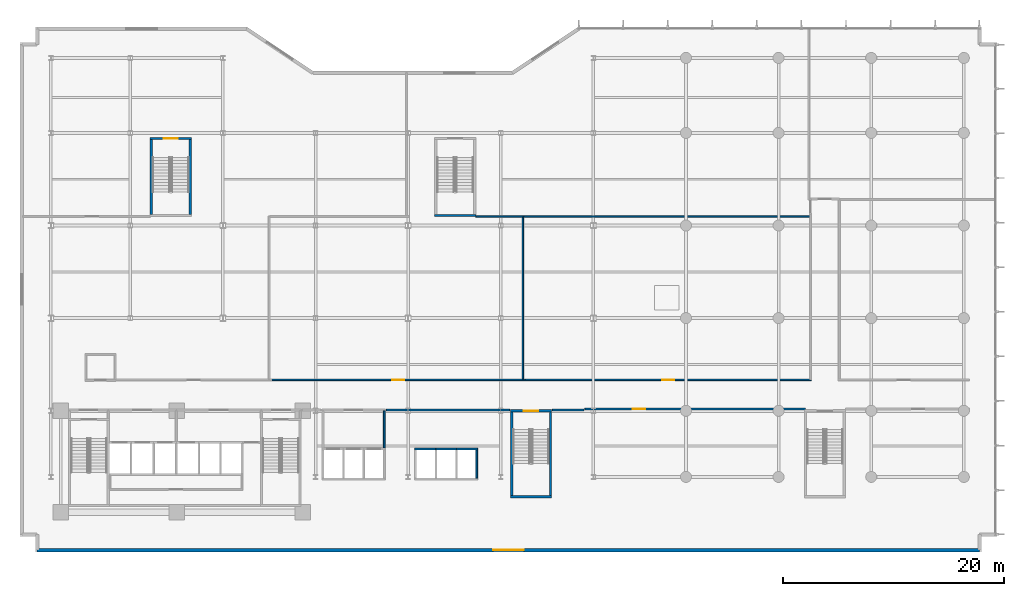
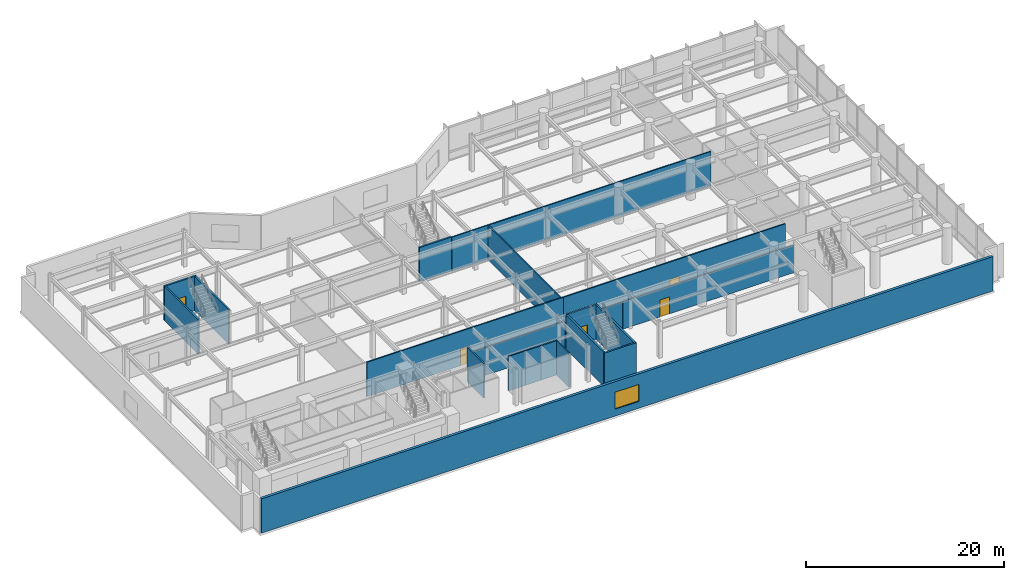
# One storey, part 16 of 26: 22 walls, 5 doors, 1 window, 6 openings.
"""IFC4 building model written with IfcOpenShell, lengths in metres."""

from ifc_helpers import new_model, si_unit, direction, frame, frame_2d, origin, place, context, subcontext, project, spatial, rectangle, extrude, material, layer, layer_set, type_object, element, fill, save


model = new_model("IFC4")

# Units and contexts
model_context = context("Model", 3, precision=1e-05, world=origin(), true_north=direction((0.0, 1.0)))
body_context = subcontext(model_context, "Body", "Model", "MODEL_VIEW")
ifc_project = project(units=[si_unit("LENGTHUNIT", "METRE"), si_unit("AREAUNIT", "SQUARE_METRE"), si_unit("VOLUMEUNIT", "CUBIC_METRE"), si_unit("PLANEANGLEUNIT", "RADIAN"), si_unit("MASSUNIT", "GRAM", prefix="KILO")], contexts=[model_context])

# Site, building, storey
site_placement = place(None, origin())
site = spatial("IfcSite", under=ifc_project, at=site_placement, CompositionType="ELEMENT")
building_placement = place(site_placement, origin())
building = spatial("IfcBuilding", under=site, at=building_placement, Name="Varnakote Quay Hospital", CompositionType="ELEMENT")
storey_placement = place(building_placement, frame((0.0, 0.0, 9.0)))
storey = spatial("IfcBuildingStorey", under=building, at=storey_placement, Name="L02", CompositionType="ELEMENT", Elevation=9.0)

# Walls
ifc_material_1 = material(Name="Fire-rated acoustic gypsum stud wall", Category="gypsum")
ifc_layer_1 = layer(ifc_material_1, 0.159912109375)
ifc_layer_set_1 = layer_set([ifc_layer_1], Name="Fire-rated acoustic gypsum stud wall")
wall_type_1 = type_object("IfcWallType", Name="WL-COMP-160", PredefinedType="PARTITIONING", material=ifc_layer_set_1)
wall_1_placement = place(storey_placement, frame((31.429931640625, 8.610107421875, 0.0), z_axis=(0.0, 0.0, 1.0), x_axis=(0.0, 1.0, 0.0)))
element("IfcWall", 1, at=wall_1_placement, inside=storey, type_object=wall_type_1, Name="L02 Low-Rise Lift Lobby East Wall", PredefinedType="PARTITIONING", context=body_context, shape_type="SweptSolid", body=[
    extrude(rectangle(XDim=3.389892578125, YDim=0.159912109375, at=frame_2d((1.69482421875, 0.0))), origin(), (0.0, 0.0, 1.0), 4.25),
])
wall_2_placement = place(storey_placement, frame((31.6298828125, 12.080078125, 0.0), z_axis=(0.0, 0.0, 1.0), x_axis=(1.0, 0.0, 0.0)))
element("IfcWall", 2, at=wall_2_placement, inside=storey, type_object=wall_type_1, Name="L02 Corridor South Gap Wall", PredefinedType="PARTITIONING", context=body_context, shape_type="SweptSolid", body=[
    extrude(rectangle(XDim=11.180908203125, YDim=0.159912109375, at=frame_2d((5.59033203125, 0.0))), origin(), (0.0, 0.0, 1.0), 3.425048828125),
])
wall_3_placement = place(storey_placement, frame((46.689208984375, 12.080078125, 0.0), z_axis=(0.0, 0.0, 1.0), x_axis=(1.0, 0.0, 0.0)))
element("IfcWall", 3, at=wall_3_placement, inside=storey, type_object=wall_type_1, Name="L02 Corridor South Gap Wall", PredefinedType="PARTITIONING", context=body_context, shape_type="SweptSolid", body=[
    extrude(rectangle(XDim=2.843017578125, YDim=0.159912109375, at=frame_2d((1.42138671875, 0.0))), origin(), (0.0, 0.0, 1.0), 3.425048828125),
])

# Wall, opening, window
ifc_material_2 = material(Name="Precast concrete N50 (f'c 50 MPa)", Category="concrete")
ifc_layer_2 = layer(ifc_material_2, 0.300048828125)
ifc_layer_set_2 = layer_set([ifc_layer_2], Name="Precast concrete N50 (f'c 50 MPa)")
wall_type_2 = type_object("IfcWallType", Name="WL-EXT-BRICK-300", PredefinedType="STANDARD", material=ifc_layer_set_2)
wall_4_placement = place(storey_placement, frame((-0.0400390625, -0.639892578125, 0.0), z_axis=(0.0, 0.0, 1.0), x_axis=(1.0, 0.0, 0.0)))
wall_4 = element("IfcWall", 4, at=wall_4_placement, inside=storey, type_object=wall_type_2, Name="L02 Brick-Faced Precast Exterior Wall", PredefinedType="STANDARD", context=body_context, shape_type="SweptSolid", body=[
    extrude(rectangle(XDim=85.47998046875, YDim=0.300048828125, at=frame_2d((42.739990234375, 0.0))), origin(), (0.0, 0.0, 1.0), 4.25),
])
opening_1_placement = place(wall_4_placement, frame((41.340087890625, 0.0, 0.85009765625)))
opening_1 = element("IfcOpeningElement", 5, at=opening_1_placement, cuts=wall_4, Name="Opening WN-0013", PredefinedType="OPENING", context=body_context, shape_type="SweptSolid", body=[
    extrude(rectangle(XDim=2.800048828125, YDim=2.10009765625, at=frame_2d((1.39990234375, 1.050048828125))), frame((0.0, 0.159912109375, 0.0), z_axis=(0.0, -1.0, 0.0), x_axis=(1.0, 0.0, 0.0)), (0.0, 0.0, 1.0), 0.320068359375),
])
ifc_material_3 = material(Name="Double-glazed acoustic laminated glass", Category="glass")
window_type = type_object("IfcWindowType", Name="WIN-POD-2800x2100", PartitioningType="SINGLE_PANEL", PredefinedType="WINDOW", material=ifc_material_3)
window_placement = place(opening_1_placement, origin())
window = element("IfcWindow", 6, at=window_placement, inside=storey, type_object=window_type, Name="L02 Solar-Control Clinical Window", OverallHeight=2.10009765625, OverallWidth=2.800048828125, PartitioningType="SINGLE_PANEL", PredefinedType="WINDOW", context=body_context, shape_type="SweptSolid", body=[
    extrude(rectangle(XDim=2.800048828125, YDim=2.10009765625, at=frame_2d((1.39990234375, 1.050048828125))), frame((0.0, 0.030029296875, 0.0), z_axis=(0.0, -1.0, 0.0), x_axis=(1.0, 0.0, 0.0)), (0.0, 0.0, 1.0), 0.06005859375),
])
fill(opening_1, window)

# Walls
ifc_material_4 = material(Name="Concrete N50 (f'c 50 MPa)", Category="concrete")
ifc_layer_3 = layer(ifc_material_4, 0.159912109375)
ifc_layer_set_3 = layer_set([ifc_layer_3], Name="Concrete N50 (f'c 50 MPa)")
wall_type_3 = type_object("IfcWallType", Name="WL-SHAFT-N50-160", PredefinedType="SHEAR", material=ifc_layer_set_3)
wall_5_placement = place(storey_placement, frame((39.830078125, 5.89990234375, 0.0), z_axis=(0.0, 0.0, 1.0), x_axis=(0.0, 1.0, 0.0)))
element("IfcWall", 7, at=wall_5_placement, inside=storey, type_object=wall_type_3, Name="L02 MID Lift Bank East Shear Wall", PredefinedType="SHEAR", context=body_context, shape_type="SweptSolid", body=[
    extrude(rectangle(XDim=2.550048828125, YDim=0.159912109375, at=frame_2d((1.27490234375, 0.0))), origin(), (0.0, 0.0, 1.0), 4.25),
])
wall_6_placement = place(storey_placement, frame((34.18994140625, 8.530029296875, 0.0), z_axis=(0.0, 0.0, 1.0), x_axis=(1.0, 0.0, 0.0)))
element("IfcWall", 8, at=wall_6_placement, inside=storey, type_object=wall_type_3, Name="L02 LF-PM1 Hoistway Front Wall", PredefinedType="SHEAR", context=body_context, shape_type="SweptSolid", body=[
    extrude(rectangle(XDim=1.93505859375, YDim=0.159912109375, at=frame_2d((0.967529296875, 0.0))), origin(), (0.0, 0.0, 1.0), 4.25),
])
wall_7_placement = place(storey_placement, frame((36.125, 8.530029296875, 0.0), z_axis=(0.0, 0.0, 1.0), x_axis=(1.0, 0.0, 0.0)))
element("IfcWall", 9, at=wall_7_placement, inside=storey, type_object=wall_type_3, Name="L02 LF-PM2 Hoistway Front Wall", PredefinedType="SHEAR", context=body_context, shape_type="SweptSolid", body=[
    extrude(rectangle(XDim=1.85009765625, YDim=0.159912109375, at=frame_2d((0.925048828125, 0.0))), origin(), (0.0, 0.0, 1.0), 4.25),
])
wall_8_placement = place(storey_placement, frame((37.97509765625, 8.530029296875, 0.0), z_axis=(0.0, 0.0, 1.0), x_axis=(1.0, 0.0, 0.0)))
element("IfcWall", 10, at=wall_8_placement, inside=storey, type_object=wall_type_3, Name="L02 LF-PM3 Hoistway Front Wall", PredefinedType="SHEAR", context=body_context, shape_type="SweptSolid", body=[
    extrude(rectangle(XDim=1.934814453125, YDim=0.159912109375, at=frame_2d((0.96728515625, 0.0))), origin(), (0.0, 0.0, 1.0), 4.25),
])
ifc_material_5 = material(Name="Concrete N50 (f'c 50 MPa)", Category="concrete")
ifc_layer_4 = layer(ifc_material_5, 0.199951171875)
ifc_layer_set_4 = layer_set([ifc_layer_4], Name="Concrete N50 (f'c 50 MPa)")
wall_type_4 = type_object("IfcWallType", Name="WL-SHAFT-N50-200", PredefinedType="SHEAR", material=ifc_layer_set_4)
wall_9_placement = place(storey_placement, frame((42.89990234375, 4.199951171875, 0.0), z_axis=(0.0, 0.0, 1.0), x_axis=(1.0, 0.0, 0.0)))
element("IfcWall", 11, at=wall_9_placement, inside=storey, type_object=wall_type_4, Name="L02 Stair ST3 South Shaft Wall", PredefinedType="SHEAR", context=body_context, shape_type="SweptSolid", body=[
    extrude(rectangle(XDim=3.7001953125, YDim=0.199951171875, at=frame_2d((1.85009765625, 0.0))), origin(), (0.0, 0.0, 1.0), 4.25),
])
for number, where, z_axis, x_axis, name in (
    (12, (43.0, 4.300048828125, 0.0), (0.0, 0.0, 1.0), (0.0, 1.0, 0.0), "L02 Stair ST3 West Shaft Wall"),
    (13, (46.5, 4.300048828125, 0.0), (0.0, 0.0, 1.0), (0.0, 1.0, 0.0), "L02 Stair ST3 East Shaft Wall"),
):
    element("IfcWall", number, at=place(storey_placement, frame(where, z_axis=z_axis, x_axis=x_axis)), inside=storey, type_object=wall_type_4, Name=name, PredefinedType="SHEAR", context=body_context, shape_type="SweptSolid", body=[
        extrude(rectangle(XDim=7.599853515625, YDim=0.199951171875, at=frame_2d((3.7998046875, 0.0))), origin(), (0.0, 0.0, 1.0), 4.25),
    ])

# Wall, opening, door
wall_10_placement = place(storey_placement, frame((42.89990234375, 12.0, 0.0), z_axis=(0.0, 0.0, 1.0), x_axis=(1.0, 0.0, 0.0)))
wall_10 = element("IfcWall", 14, at=wall_10_placement, inside=storey, type_object=wall_type_4, Name="L02 Stair ST3 Exit Wall", PredefinedType="SHEAR", context=body_context, shape_type="SweptSolid", body=[
    extrude(rectangle(XDim=3.7001953125, YDim=0.199951171875, at=frame_2d((1.85009765625, 0.0))), origin(), (0.0, 0.0, 1.0), 4.25),
])
opening_2_placement = place(wall_10_placement, frame((1.199951171875, 0.0, 0.0)))
opening_2 = element("IfcOpeningElement", 15, at=opening_2_placement, cuts=wall_10, Name="Opening D-ST3-L02", PredefinedType="OPENING", context=body_context, shape_type="SweptSolid", body=[
    extrude(rectangle(XDim=1.300048828125, YDim=2.14990234375, at=frame_2d((0.64990234375, 1.074951171875))), frame((0.0, 0.10986328125, 0.0), z_axis=(0.0, -1.0, 0.0), x_axis=(1.0, 0.0, 0.0)), (0.0, 0.0, 1.0), 0.219970703125),
])
ifc_material_6 = material(Name="Fire-rated ceramic-glazed timber exit door", Category="wood")
door_type_1 = type_object("IfcDoorType", Name="DR-STAIR-FD60S-1300x2150", OperationType="NOTDEFINED", PredefinedType="DOOR", material=ifc_material_6)
door_1_placement = place(opening_2_placement, origin())
door_1 = element("IfcDoor", 16, at=door_1_placement, inside=storey, type_object=door_type_1, Name="L02 Stair ST3 Fire Exit Door", OperationType="SINGLE_SWING_RIGHT", OverallHeight=2.14990234375, OverallWidth=1.300048828125, PredefinedType="DOOR", context=body_context, shape_type="SweptSolid", body=[
    extrude(rectangle(XDim=1.300048828125, YDim=2.14990234375, at=frame_2d((0.64990234375, 1.074951171875))), frame((0.0, 0.02490234375, 0.0), z_axis=(0.0, -1.0, 0.0), x_axis=(1.0, 0.0, 0.0)), (0.0, 0.0, 1.0), 0.050048828125),
])
fill(opening_2, door_1)

# Walls
for number, where, z_axis, x_axis, name in (
    (17, (10.300048828125, 29.800048828125, 0.0), (0.0, 0.0, 1.0), (0.0, 1.0, 0.0), "L02 Stair ST4 West Shaft Wall"),
    (18, (13.840087890625, 29.800048828125, 0.0), (0.0, 0.0, 1.0), (0.0, 1.0, 0.0), "L02 Stair ST4 East Shaft Wall"),
):
    element("IfcWall", number, at=place(storey_placement, frame(where, z_axis=z_axis, x_axis=x_axis)), inside=storey, type_object=wall_type_4, Name=name, PredefinedType="SHEAR", context=body_context, shape_type="SweptSolid", body=[
        extrude(rectangle(XDim=6.800048828125, YDim=0.199951171875, at=frame_2d((3.39990234375, 0.0))), origin(), (0.0, 0.0, 1.0), 4.25),
    ])

# Wall, opening, door
wall_11_placement = place(storey_placement, frame((10.199951171875, 36.699951171875, 0.0), z_axis=(0.0, 0.0, 1.0), x_axis=(1.0, 0.0, 0.0)))
wall_11 = element("IfcWall", 19, at=wall_11_placement, inside=storey, type_object=wall_type_4, Name="L02 Stair ST4 Exit Wall", PredefinedType="SHEAR", context=body_context, shape_type="SweptSolid", body=[
    extrude(rectangle(XDim=3.739990234375, YDim=0.199951171875, at=frame_2d((1.8701171875, 0.0))), origin(), (0.0, 0.0, 1.0), 4.25),
])
opening_3_placement = place(wall_11_placement, frame((1.219970703125, 0.0, 0.0)))
opening_3 = element("IfcOpeningElement", 20, at=opening_3_placement, cuts=wall_11, Name="Opening D-ST4-L02", PredefinedType="OPENING", context=body_context, shape_type="SweptSolid", body=[
    extrude(rectangle(XDim=1.300048828125, YDim=2.14990234375, at=frame_2d((0.64990234375, 1.074951171875))), frame((0.0, 0.10986328125, 0.0), z_axis=(0.0, -1.0, 0.0), x_axis=(1.0, 0.0, 0.0)), (0.0, 0.0, 1.0), 0.219970703125),
])
door_2_placement = place(opening_3_placement, origin())
door_2 = element("IfcDoor", 21, at=door_2_placement, inside=storey, type_object=door_type_1, Name="L02 Stair ST4 Fire Exit Door", OperationType="SINGLE_SWING_RIGHT", OverallHeight=2.14990234375, OverallWidth=1.300048828125, PredefinedType="DOOR", context=body_context, shape_type="SweptSolid", body=[
    extrude(rectangle(XDim=1.300048828125, YDim=2.14990234375, at=frame_2d((0.64990234375, 1.074951171875))), frame((0.0, 0.02490234375, 0.0), z_axis=(0.0, -1.0, 0.0), x_axis=(1.0, 0.0, 0.0)), (0.0, 0.0, 1.0), 0.050048828125),
])
fill(opening_3, door_2)

# Walls
wall_12_placement = place(storey_placement, frame((36.0, 29.699951171875, 0.0), z_axis=(0.0, 0.0, 1.0), x_axis=(1.0, 0.0, 0.0)))
element("IfcWall", 22, at=wall_12_placement, inside=storey, type_object=wall_type_4, Name="L02 Stair ST5 South Shaft Wall", PredefinedType="SHEAR", context=body_context, shape_type="SweptSolid", body=[
    extrude(rectangle(XDim=3.739990234375, YDim=0.199951171875, at=frame_2d((1.8701171875, 0.0))), origin(), (0.0, 0.0, 1.0), 4.25),
])
ifc_material_7 = material(Name="Smoke-proof clinical partition", Category="gypsum")
ifc_layer_5 = layer(ifc_material_7, 0.135009765625)
ifc_layer_set_5 = layer_set([ifc_layer_5], Name="Smoke-proof clinical partition")
wall_type_5 = type_object("IfcWallType", Name="WL-SMOKE-135", PredefinedType="PARTITIONING", material=ifc_layer_set_5)
wall_13_placement = place(storey_placement, frame((44.0, 14.864990234375, 0.0), z_axis=(0.0, 0.0, 1.0), x_axis=(0.0, 1.0, 0.0)))
element("IfcWall", 23, at=wall_13_placement, inside=storey, type_object=wall_type_5, Name="L02 Clinical Interior Partition", PredefinedType="PARTITIONING", context=body_context, shape_type="SweptSolid", body=[
    extrude(rectangle(XDim=14.755126953125, YDim=0.135009765625, at=frame_2d((7.37744140625, 0.0))), origin(), (0.0, 0.0, 1.0), 4.25),
])
wall_14_placement = place(storey_placement, frame((44.0, 29.6201171875, 0.0), z_axis=(0.0, 0.0, 1.0), x_axis=(-1.0, 0.0, 0.0)))
element("IfcWall", 24, at=wall_14_placement, inside=storey, type_object=wall_type_5, Name="L02 Clinical Interior Partition", PredefinedType="PARTITIONING", context=body_context, shape_type="SweptSolid", body=[
    extrude(rectangle(XDim=4.258056640625, YDim=0.135009765625, at=frame_2d((2.12890625, 0.0))), origin(), (0.0, 0.0, 1.0), 4.25),
])
wall_15_placement = place(storey_placement, frame((70.034912109375, 29.6201171875, 0.0), z_axis=(0.0, 0.0, 1.0), x_axis=(-1.0, 0.0, 0.0)))
element("IfcWall", 25, at=wall_15_placement, inside=storey, type_object=wall_type_5, Name="L02 Clinical Interior Partition", PredefinedType="PARTITIONING", context=body_context, shape_type="SweptSolid", body=[
    extrude(rectangle(XDim=25.977294921875, YDim=0.135009765625, at=frame_2d((12.98876953125, 0.0))), origin(), (0.0, 0.0, 1.0), 4.25),
])

# Wall, opening, door
ifc_material_8 = material(Name="Fire-rated clinical gypsum partition", Category="gypsum")
ifc_layer_6 = layer(ifc_material_8, 0.14990234375)
ifc_layer_set_6 = layer_set([ifc_layer_6], Name="Fire-rated clinical gypsum partition")
wall_type_6 = type_object("IfcWallType", Name="WL-WARD-150", PredefinedType="PARTITIONING", material=ifc_layer_set_6)
wall_16_placement = place(storey_placement, frame((49.62158203125, 12.159912109375, 0.0), z_axis=(0.0, 0.0, 1.0), x_axis=(1.0, 0.0, 0.0)))
wall_16 = element("IfcWall", 26, at=wall_16_placement, inside=storey, type_object=wall_type_6, Name="L02 Clinical Interior Partition", PredefinedType="PARTITIONING", context=body_context, shape_type="SweptSolid", body=[
    extrude(rectangle(XDim=20.0068359375, YDim=0.14990234375, at=frame_2d((10.00341796875, 0.0))), origin(), (0.0, 0.0, 1.0), 3.425048828125),
])
opening_4_placement = place(wall_16_placement, frame((4.364013671875, 0.0, 0.0)))
opening_4 = element("IfcOpeningElement", 27, at=opening_4_placement, cuts=wall_16, Name="Opening D-L02-EDAY", PredefinedType="OPENING", context=body_context, shape_type="SweptSolid", body=[
    extrude(rectangle(XDim=1.10009765625, YDim=2.10009765625, at=frame_2d((0.550048828125, 1.050048828125))), frame((0.0, 0.0849609375, 0.0), z_axis=(0.0, -1.0, 0.0), x_axis=(1.0, 0.0, 0.0)), (0.0, 0.0, 1.0), 0.169921875),
])
ifc_material_9 = material(Name="Acoustic timber clinical consult door", Category="wood")
door_type_2 = type_object("IfcDoorType", Name="DR-CLIN-FD30S-1100x2100", OperationType="NOTDEFINED", PredefinedType="DOOR", material=ifc_material_9)
door_3_placement = place(opening_4_placement, origin())
door_3 = element("IfcDoor", 28, at=door_3_placement, inside=storey, type_object=door_type_2, Name="L02 Perioperative Day Surgery Treatment Ward Door", OperationType="SINGLE_SWING_LEFT", OverallHeight=2.10009765625, OverallWidth=1.10009765625, PredefinedType="DOOR", context=body_context, shape_type="SweptSolid", body=[
    extrude(rectangle(XDim=1.10009765625, YDim=2.10009765625, at=frame_2d((0.550048828125, 1.050048828125))), frame((0.0, 0.02490234375, 0.0), z_axis=(0.0, -1.0, 0.0), x_axis=(1.0, 0.0, 0.0)), (0.0, 0.0, 1.0), 0.050048828125),
])
fill(opening_4, door_3)

wall_17_placement = place(storey_placement, frame((44.218017578125, 14.800048828125, 0.0), z_axis=(0.0, 0.0, 1.0), x_axis=(-1.0, 0.0, 0.0)))
wall_17 = element("IfcWall", 29, at=wall_17_placement, inside=storey, type_object=wall_type_6, Name="L02 Clinical Interior Partition", PredefinedType="PARTITIONING", context=body_context, shape_type="SweptSolid", body=[
    extrude(rectangle(XDim=22.998046875, YDim=0.14990234375, at=frame_2d((11.4990234375, 0.0))), origin(), (0.0, 0.0, 1.0), 4.25),
])
opening_5_placement = place(wall_17_placement, frame((10.948974609375, 0.0, 0.0)))
opening_5 = element("IfcOpeningElement", 30, at=opening_5_placement, cuts=wall_17, Name="Opening D-L02-OR02", PredefinedType="OPENING", context=body_context, shape_type="SweptSolid", body=[
    extrude(rectangle(XDim=1.10009765625, YDim=2.10009765625, at=frame_2d((0.550048828125, 1.050048828125))), frame((0.0, 0.0849609375, 0.0), z_axis=(0.0, -1.0, 0.0), x_axis=(1.0, 0.0, 0.0)), (0.0, 0.0, 1.0), 0.169921875),
])
door_4_placement = place(opening_5_placement, origin())
door_4 = element("IfcDoor", 31, at=door_4_placement, inside=storey, type_object=door_type_2, Name="L02 Hybrid Operating Theatre Treatment Suite 5-8 Door", OperationType="SINGLE_SWING_RIGHT", OverallHeight=2.10009765625, OverallWidth=1.10009765625, PredefinedType="DOOR", context=body_context, shape_type="SweptSolid", body=[
    extrude(rectangle(XDim=1.10009765625, YDim=2.10009765625, at=frame_2d((0.550048828125, 1.050048828125))), frame((0.0, 0.02490234375, 0.0), z_axis=(0.0, -1.0, 0.0), x_axis=(1.0, 0.0, 0.0)), (0.0, 0.0, 1.0), 0.050048828125),
])
fill(opening_5, door_4)

wall_18_placement = place(storey_placement, frame((70.16796875, 14.800048828125, 0.0), z_axis=(0.0, 0.0, 1.0), x_axis=(-1.0, 0.0, 0.0)))
wall_18 = element("IfcWall", 32, at=wall_18_placement, inside=storey, type_object=wall_type_6, Name="L02 Clinical Interior Partition", PredefinedType="PARTITIONING", context=body_context, shape_type="SweptSolid", body=[
    extrude(rectangle(XDim=25.947998046875, YDim=0.14990234375, at=frame_2d((12.97412109375, 0.0))), origin(), (0.0, 0.0, 1.0), 4.25),
])
opening_6_placement = place(wall_18_placement, frame((12.424072265625, 0.0, 0.0)))
opening_6 = element("IfcOpeningElement", 33, at=opening_6_placement, cuts=wall_18, Name="Opening D-L02-PACU", PredefinedType="OPENING", context=body_context, shape_type="SweptSolid", body=[
    extrude(rectangle(XDim=1.10009765625, YDim=2.10009765625, at=frame_2d((0.550048828125, 1.050048828125))), frame((0.0, 0.0849609375, 0.0), z_axis=(0.0, -1.0, 0.0), x_axis=(1.0, 0.0, 0.0)), (0.0, 0.0, 1.0), 0.169921875),
])
door_5_placement = place(opening_6_placement, origin())
door_5 = element("IfcDoor", 34, at=door_5_placement, inside=storey, type_object=door_type_2, Name="L02 Post-Anaesthesia Recovery Treatment Ward Door", OperationType="SINGLE_SWING_LEFT", OverallHeight=2.10009765625, OverallWidth=1.10009765625, PredefinedType="DOOR", context=body_context, shape_type="SweptSolid", body=[
    extrude(rectangle(XDim=1.10009765625, YDim=2.10009765625, at=frame_2d((0.550048828125, 1.050048828125))), frame((0.0, 0.02490234375, 0.0), z_axis=(0.0, -1.0, 0.0), x_axis=(1.0, 0.0, 0.0)), (0.0, 0.0, 1.0), 0.050048828125),
])
fill(opening_6, door_5)

save(model, "model.ifc")
